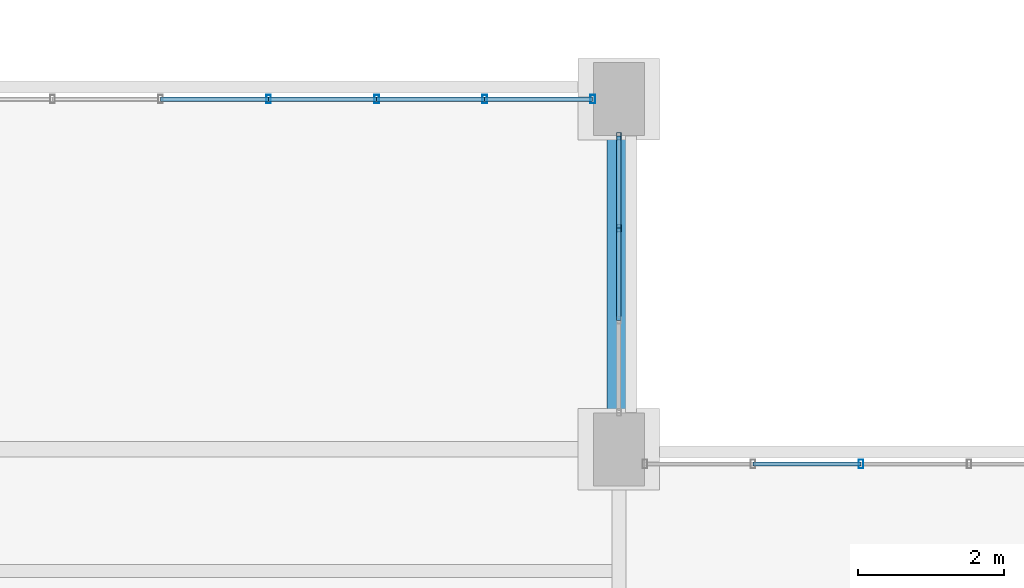
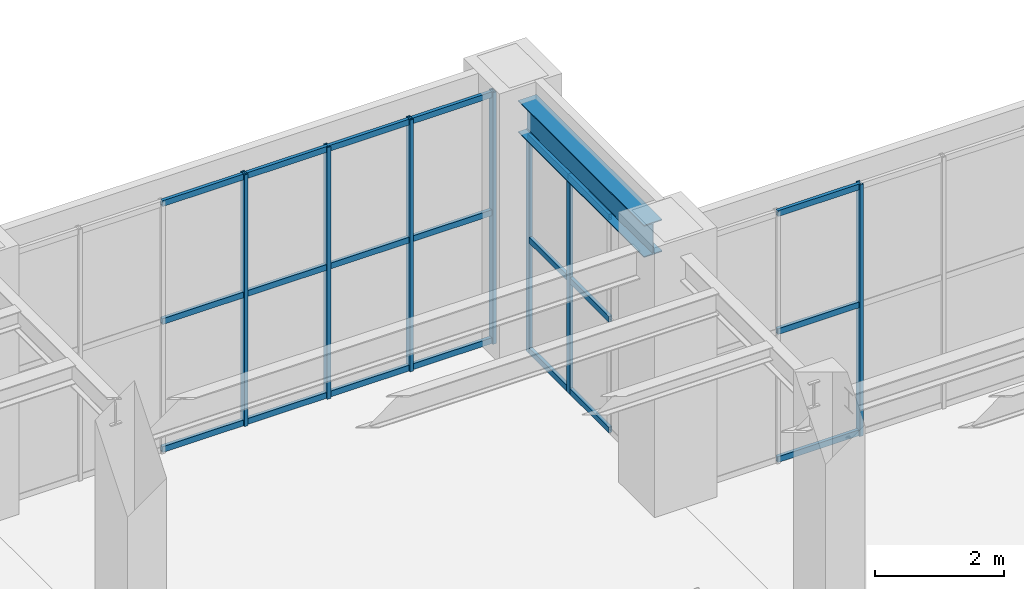
# One storey, part 120 of 174: 28 members, 1 beam, 3 elements without a shape of their own.
"""IFC4 building model written with IfcOpenShell, lengths in metres."""

from ifc_helpers import new_model, si_unit, direction, frame, origin, origin_2d, place, context, subcontext, project, spatial, hollow_rectangle, i_section, extrude, material, material_profile, profile_set, type_object, element, aggregate, save


model = new_model("IFC4")

# Units and contexts
model_context = context("Model", 3, precision=1e-05, world=origin(), true_north=direction((0.0, 1.0)))
body_context = subcontext(model_context, "Body", "Model", "MODEL_VIEW")
ifc_project = project(units=[si_unit("LENGTHUNIT", "METRE"), si_unit("AREAUNIT", "SQUARE_METRE"), si_unit("VOLUMEUNIT", "CUBIC_METRE"), si_unit("PLANEANGLEUNIT", "RADIAN"), si_unit("MASSUNIT", "GRAM", prefix="KILO")], contexts=[model_context])

# Site, building, storey
site_placement = place(None, origin())
site = spatial("IfcSite", under=ifc_project, at=site_placement, CompositionType="ELEMENT")
building_placement = place(site_placement, origin())
building = spatial("IfcBuilding", under=site, at=building_placement, Name="Mavantir Sound Aquarium", CompositionType="ELEMENT")
storey_placement = place(building_placement, frame((0.0, 0.0, 5.39990234375)))
storey = spatial("IfcBuildingStorey", under=building, at=storey_placement, Name="L01", CompositionType="ELEMENT", Elevation=5.39990234375)

# Beam
ifc_material_1 = material(Name="Structural Steel ASTM A992 Gr50", Category="steel")
ifc_material_profile_1 = material_profile(ifc_material_1, i_section(OverallWidth=0.323974609375, OverallDepth=0.611083984375, WebThickness=0.0126953125, FlangeThickness=0.01904296875, FilletRadius=0.01904296875, at=origin_2d()), Name="W610X155")
ifc_profile_set_1 = profile_set([ifc_material_profile_1], Name="Structural Steel ASTM A992 Gr50")
beam_type = type_object("IfcBeamType", Name="BM-W610X155-I", PredefinedType="BEAM", material=ifc_profile_set_1)
beam_placement = place(storey_placement, frame((165.60009765625, 66.25, 4.470703125), z_axis=(0.0, 1.0, 0.0), x_axis=(-1.0, 0.0, 0.0)))
element("IfcBeam", 1, at=beam_placement, inside=storey, type_object=beam_type, Name="L01 primary girder SB-61A 1351", PredefinedType="BEAM", context=body_context, shape_type="SweptSolid", body=[
    extrude(i_section(OverallWidth=0.323974609375, OverallDepth=0.611083984375, WebThickness=0.0126953125, FlangeThickness=0.01904296875, FilletRadius=0.01904296875, at=origin_2d()), origin(), (0.0, 0.0, 1.0), 3.89990234375),
])

# Curtain wall, members
ifc_material_2 = material(Name="Anodised Marine Aluminium and Low-E Glass", Category="aluminium")
curtain_wall_type_1 = type_object("IfcCurtainWallType", Name="CW-T13", PredefinedType="USERDEFINED", material=ifc_material_2)
curtain_wall_1_placement = place(storey_placement, origin())
curtain_wall_1 = element("IfcCurtainWall", 2, at=curtain_wall_1_placement, inside=storey, type_object=curtain_wall_type_1, Name="L01 unitised curtain wall CW-13 109", ObjectType="UNITISED GLAZING", PredefinedType="USERDEFINED")
ifc_material_3 = material(Name="Anodised Marine Aluminium 6063-T6", Category="aluminium")
ifc_material_profile_2 = material_profile(ifc_material_3, hollow_rectangle(XDim=0.06005859375, YDim=0.10009765625, WallThickness=0.00390625, at=origin_2d()), Name="ALU-MULLION-100X60")
ifc_profile_set_2 = profile_set([ifc_material_profile_2], Name="Anodised Marine Aluminium 6063-T6")
member_type_1 = type_object("IfcMemberType", Name="CW-MUL-100", PredefinedType="MULLION", material=ifc_profile_set_2)
member_1_placement = place(storey_placement, frame((165.60009765625, 68.830810546875, 0.0), z_axis=(0.0, 0.0, 1.0), x_axis=(1.0, 0.0, 0.0)))
member_1 = element("IfcMember", 3, at=member_1_placement, type_object=member_type_1, Name="CW-L01-109 vertical mullion 3", PredefinedType="MULLION", context=body_context, shape_type="SweptSolid", body=[
    extrude(hollow_rectangle(XDim=0.06005859375, YDim=0.10009765625, WallThickness=0.00390625, at=origin_2d()), origin(), (0.0, 0.0, 1.0), 4.135009765625),
])
member_2_placement = place(storey_placement, frame((165.60009765625, 70.092041015625, 0.0), z_axis=(0.0, 0.0, 1.0), x_axis=(1.0, 0.0, 0.0)))
member_2 = element("IfcMember", 4, at=member_2_placement, type_object=member_type_1, Name="CW-L01-109 vertical mullion 4", PredefinedType="MULLION", context=body_context, shape_type="SweptSolid", body=[
    extrude(hollow_rectangle(XDim=0.06005859375, YDim=0.10009765625, WallThickness=0.00390625, at=origin_2d()), origin(), (0.0, 0.0, 1.0), 4.135009765625),
])

# Curtain wall, member
curtain_wall_type_2 = type_object("IfcCurtainWallType", Name="CW-T12", PredefinedType="USERDEFINED", material=ifc_material_2)
curtain_wall_2_placement = place(storey_placement, origin())
curtain_wall_2 = element("IfcCurtainWall", 5, at=curtain_wall_2_placement, inside=storey, type_object=curtain_wall_type_2, Name="L01 unitised curtain wall CW-12 108", ObjectType="UNITISED GLAZING", PredefinedType="USERDEFINED")
ifc_material_profile_3 = material_profile(ifc_material_3, hollow_rectangle(XDim=0.06494140625, YDim=0.1201171875, WallThickness=0.00390625, at=origin_2d()), Name="ALU-MULLION-120X65")
ifc_profile_set_3 = profile_set([ifc_material_profile_3], Name="Anodised Marine Aluminium 6063-T6")
member_type_2 = type_object("IfcMemberType", Name="CW-MUL-120", PredefinedType="MULLION", material=ifc_profile_set_3)
member_3_placement = place(storey_placement, frame((168.919189453125, 65.60009765625, 0.0), z_axis=(0.0, 0.0, 1.0), x_axis=(1.0, 0.0, 0.0)))
member_3 = element("IfcMember", 6, at=member_3_placement, type_object=member_type_2, Name="CW-L01-108 vertical mullion 5", PredefinedType="MULLION", context=body_context, shape_type="SweptSolid", body=[
    extrude(hollow_rectangle(XDim=0.06494140625, YDim=0.1201171875, WallThickness=0.00390625, at=origin_2d()), origin(), (0.0, 0.0, 1.0), 4.760009765625),
])

# Curtain wall, members
curtain_wall_type_3 = type_object("IfcCurtainWallType", Name="CW-T14", PredefinedType="USERDEFINED", material=ifc_material_2)
curtain_wall_3_placement = place(storey_placement, origin())
curtain_wall_3 = element("IfcCurtainWall", 7, at=curtain_wall_3_placement, inside=storey, type_object=curtain_wall_type_3, Name="L01 unitised curtain wall CW-14 110", ObjectType="UNITISED GLAZING", PredefinedType="USERDEFINED")
member_4_placement = place(storey_placement, frame((165.241943359375, 70.60009765625, 0.0), z_axis=(0.0, 0.0, 1.0), x_axis=(1.0, 0.0, 0.0)))
member_4 = element("IfcMember", 8, at=member_4_placement, type_object=member_type_2, Name="CW-L01-110 vertical mullion 1", PredefinedType="MULLION", context=body_context, shape_type="SweptSolid", body=[
    extrude(hollow_rectangle(XDim=0.06494140625, YDim=0.1201171875, WallThickness=0.00390625, at=origin_2d()), origin(), (0.0, 0.0, 1.0), 4.760009765625),
])
member_5_placement = place(storey_placement, frame((163.76123046875, 70.60009765625, 0.0), z_axis=(0.0, 0.0, 1.0), x_axis=(1.0, 0.0, 0.0)))
member_5 = element("IfcMember", 9, at=member_5_placement, type_object=member_type_2, Name="CW-L01-110 vertical mullion 2", PredefinedType="MULLION", context=body_context, shape_type="SweptSolid", body=[
    extrude(hollow_rectangle(XDim=0.06494140625, YDim=0.1201171875, WallThickness=0.00390625, at=origin_2d()), origin(), (0.0, 0.0, 1.0), 4.760009765625),
])
member_6_placement = place(storey_placement, frame((162.28076171875, 70.60009765625, 0.0), z_axis=(0.0, 0.0, 1.0), x_axis=(1.0, 0.0, 0.0)))
member_6 = element("IfcMember", 10, at=member_6_placement, type_object=member_type_2, Name="CW-L01-110 vertical mullion 3", PredefinedType="MULLION", context=body_context, shape_type="SweptSolid", body=[
    extrude(hollow_rectangle(XDim=0.06494140625, YDim=0.1201171875, WallThickness=0.00390625, at=origin_2d()), origin(), (0.0, 0.0, 1.0), 4.760009765625),
])
member_7_placement = place(storey_placement, frame((160.800048828125, 70.60009765625, 0.0), z_axis=(0.0, 0.0, 1.0), x_axis=(1.0, 0.0, 0.0)))
member_7 = element("IfcMember", 11, at=member_7_placement, type_object=member_type_2, Name="CW-L01-110 vertical mullion 4", PredefinedType="MULLION", context=body_context, shape_type="SweptSolid", body=[
    extrude(hollow_rectangle(XDim=0.06494140625, YDim=0.1201171875, WallThickness=0.00390625, at=origin_2d()), origin(), (0.0, 0.0, 1.0), 4.760009765625),
])

# Member
ifc_material_profile_4 = material_profile(ifc_material_3, hollow_rectangle(XDim=0.06005859375, YDim=0.110107421875, WallThickness=0.00390625, at=origin_2d()), Name="ALU-TRANSOM-110X60")
ifc_profile_set_4 = profile_set([ifc_material_profile_4], Name="Anodised Marine Aluminium 6063-T6")
member_type_3 = type_object("IfcMemberType", Name="CW-TRN-110", PredefinedType="USERDEFINED", material=ifc_profile_set_4)
member_8_placement = place(storey_placement, frame((168.919189453125, 65.60009765625, 0.05517578125), z_axis=(-1.0, 0.0, 0.0), x_axis=(0.0, -1.0, 0.0)))
member_8 = element("IfcMember", 12, at=member_8_placement, type_object=member_type_3, Name="CW-L01-108 transom 5.1", ObjectType="TRANSOM", PredefinedType="USERDEFINED", context=body_context, shape_type="SweptSolid", body=[
    extrude(hollow_rectangle(XDim=0.06005859375, YDim=0.110107421875, WallThickness=0.00390625, at=origin_2d()), origin(), (0.0, 0.0, 1.0), 1.48046875),
])

member_9_placement = place(storey_placement, frame((168.919189453125, 65.60009765625, 2.475341796875), z_axis=(-1.0, 0.0, 0.0), x_axis=(0.0, -1.0, 0.0)))
member_9 = element("IfcMember", 13, at=member_9_placement, type_object=member_type_3, Name="CW-L01-108 transom 5.2", ObjectType="TRANSOM", PredefinedType="USERDEFINED", context=body_context, shape_type="SweptSolid", body=[
    extrude(hollow_rectangle(XDim=0.06005859375, YDim=0.110107421875, WallThickness=0.00390625, at=origin_2d()), origin(), (0.0, 0.0, 1.0), 1.48046875),
])

member_10_placement = place(storey_placement, frame((168.919189453125, 65.60009765625, 4.705078125), z_axis=(-1.0, 0.0, 0.0), x_axis=(0.0, -1.0, 0.0)))
member_10 = element("IfcMember", 14, at=member_10_placement, type_object=member_type_3, Name="CW-L01-108 transom 5.3", ObjectType="TRANSOM", PredefinedType="USERDEFINED", context=body_context, shape_type="SweptSolid", body=[
    extrude(hollow_rectangle(XDim=0.06005859375, YDim=0.110107421875, WallThickness=0.00390625, at=origin_2d()), origin(), (0.0, 0.0, 1.0), 1.48046875),
])

aggregate(curtain_wall_2, [member_3, member_8, member_9, member_10])

member_11_placement = place(storey_placement, frame((165.60009765625, 67.5693359375, 0.05517578125), z_axis=(0.0, 1.0, 0.0), x_axis=(-1.0, 0.0, 0.0)))
member_11 = element("IfcMember", 15, at=member_11_placement, type_object=member_type_3, Name="CW-L01-109 transom 2.1", ObjectType="TRANSOM", PredefinedType="USERDEFINED", context=body_context, shape_type="SweptSolid", body=[
    extrude(hollow_rectangle(XDim=0.06005859375, YDim=0.110107421875, WallThickness=0.00390625, at=origin_2d()), origin(), (0.0, 0.0, 1.0), 1.261474609375),
])

member_12_placement = place(storey_placement, frame((165.60009765625, 67.5693359375, 2.150390625), z_axis=(0.0, 1.0, 0.0), x_axis=(-1.0, 0.0, 0.0)))
member_12 = element("IfcMember", 16, at=member_12_placement, type_object=member_type_3, Name="CW-L01-109 transom 2.2", ObjectType="TRANSOM", PredefinedType="USERDEFINED", context=body_context, shape_type="SweptSolid", body=[
    extrude(hollow_rectangle(XDim=0.06005859375, YDim=0.110107421875, WallThickness=0.00390625, at=origin_2d()), origin(), (0.0, 0.0, 1.0), 1.261474609375),
])

member_13_placement = place(storey_placement, frame((165.60009765625, 67.5693359375, 4.080078125), z_axis=(0.0, 1.0, 0.0), x_axis=(-1.0, 0.0, 0.0)))
member_13 = element("IfcMember", 17, at=member_13_placement, type_object=member_type_3, Name="CW-L01-109 transom 2.3", ObjectType="TRANSOM", PredefinedType="USERDEFINED", context=body_context, shape_type="SweptSolid", body=[
    extrude(hollow_rectangle(XDim=0.06005859375, YDim=0.110107421875, WallThickness=0.00390625, at=origin_2d()), origin(), (0.0, 0.0, 1.0), 1.261474609375),
])

member_14_placement = place(storey_placement, frame((165.60009765625, 68.830810546875, 0.05517578125), z_axis=(0.0, 1.0, 0.0), x_axis=(-1.0, 0.0, 0.0)))
member_14 = element("IfcMember", 18, at=member_14_placement, type_object=member_type_3, Name="CW-L01-109 transom 3.1", ObjectType="TRANSOM", PredefinedType="USERDEFINED", context=body_context, shape_type="SweptSolid", body=[
    extrude(hollow_rectangle(XDim=0.06005859375, YDim=0.110107421875, WallThickness=0.00390625, at=origin_2d()), origin(), (0.0, 0.0, 1.0), 1.26123046875),
])

member_15_placement = place(storey_placement, frame((165.60009765625, 68.830810546875, 2.150390625), z_axis=(0.0, 1.0, 0.0), x_axis=(-1.0, 0.0, 0.0)))
member_15 = element("IfcMember", 19, at=member_15_placement, type_object=member_type_3, Name="CW-L01-109 transom 3.2", ObjectType="TRANSOM", PredefinedType="USERDEFINED", context=body_context, shape_type="SweptSolid", body=[
    extrude(hollow_rectangle(XDim=0.06005859375, YDim=0.110107421875, WallThickness=0.00390625, at=origin_2d()), origin(), (0.0, 0.0, 1.0), 1.26123046875),
])

member_16_placement = place(storey_placement, frame((165.60009765625, 68.830810546875, 4.080078125), z_axis=(0.0, 1.0, 0.0), x_axis=(-1.0, 0.0, 0.0)))
member_16 = element("IfcMember", 20, at=member_16_placement, type_object=member_type_3, Name="CW-L01-109 transom 3.3", ObjectType="TRANSOM", PredefinedType="USERDEFINED", context=body_context, shape_type="SweptSolid", body=[
    extrude(hollow_rectangle(XDim=0.06005859375, YDim=0.110107421875, WallThickness=0.00390625, at=origin_2d()), origin(), (0.0, 0.0, 1.0), 1.26123046875),
])

aggregate(curtain_wall_1, [member_1, member_2, member_11, member_12, member_13, member_14, member_15, member_16])

member_17_placement = place(storey_placement, frame((165.241943359375, 70.60009765625, 0.05517578125), z_axis=(-1.0, 0.0, 0.0), x_axis=(0.0, -1.0, 0.0)))
member_17 = element("IfcMember", 21, at=member_17_placement, type_object=member_type_3, Name="CW-L01-110 transom 1.1", ObjectType="TRANSOM", PredefinedType="USERDEFINED", context=body_context, shape_type="SweptSolid", body=[
    extrude(hollow_rectangle(XDim=0.06005859375, YDim=0.110107421875, WallThickness=0.00390625, at=origin_2d()), origin(), (0.0, 0.0, 1.0), 1.480712890625),
])

member_18_placement = place(storey_placement, frame((165.241943359375, 70.60009765625, 2.475341796875), z_axis=(-1.0, 0.0, 0.0), x_axis=(0.0, -1.0, 0.0)))
member_18 = element("IfcMember", 22, at=member_18_placement, type_object=member_type_3, Name="CW-L01-110 transom 1.2", ObjectType="TRANSOM", PredefinedType="USERDEFINED", context=body_context, shape_type="SweptSolid", body=[
    extrude(hollow_rectangle(XDim=0.06005859375, YDim=0.110107421875, WallThickness=0.00390625, at=origin_2d()), origin(), (0.0, 0.0, 1.0), 1.480712890625),
])

member_19_placement = place(storey_placement, frame((165.241943359375, 70.60009765625, 4.705078125), z_axis=(-1.0, 0.0, 0.0), x_axis=(0.0, -1.0, 0.0)))
member_19 = element("IfcMember", 23, at=member_19_placement, type_object=member_type_3, Name="CW-L01-110 transom 1.3", ObjectType="TRANSOM", PredefinedType="USERDEFINED", context=body_context, shape_type="SweptSolid", body=[
    extrude(hollow_rectangle(XDim=0.06005859375, YDim=0.110107421875, WallThickness=0.00390625, at=origin_2d()), origin(), (0.0, 0.0, 1.0), 1.480712890625),
])

member_20_placement = place(storey_placement, frame((163.76123046875, 70.60009765625, 0.05517578125), z_axis=(-1.0, 0.0, 0.0), x_axis=(0.0, -1.0, 0.0)))
member_20 = element("IfcMember", 24, at=member_20_placement, type_object=member_type_3, Name="CW-L01-110 transom 2.1", ObjectType="TRANSOM", PredefinedType="USERDEFINED", context=body_context, shape_type="SweptSolid", body=[
    extrude(hollow_rectangle(XDim=0.06005859375, YDim=0.110107421875, WallThickness=0.00390625, at=origin_2d()), origin(), (0.0, 0.0, 1.0), 1.48046875),
])

member_21_placement = place(storey_placement, frame((163.76123046875, 70.60009765625, 2.475341796875), z_axis=(-1.0, 0.0, 0.0), x_axis=(0.0, -1.0, 0.0)))
member_21 = element("IfcMember", 25, at=member_21_placement, type_object=member_type_3, Name="CW-L01-110 transom 2.2", ObjectType="TRANSOM", PredefinedType="USERDEFINED", context=body_context, shape_type="SweptSolid", body=[
    extrude(hollow_rectangle(XDim=0.06005859375, YDim=0.110107421875, WallThickness=0.00390625, at=origin_2d()), origin(), (0.0, 0.0, 1.0), 1.48046875),
])

member_22_placement = place(storey_placement, frame((163.76123046875, 70.60009765625, 4.705078125), z_axis=(-1.0, 0.0, 0.0), x_axis=(0.0, -1.0, 0.0)))
member_22 = element("IfcMember", 26, at=member_22_placement, type_object=member_type_3, Name="CW-L01-110 transom 2.3", ObjectType="TRANSOM", PredefinedType="USERDEFINED", context=body_context, shape_type="SweptSolid", body=[
    extrude(hollow_rectangle(XDim=0.06005859375, YDim=0.110107421875, WallThickness=0.00390625, at=origin_2d()), origin(), (0.0, 0.0, 1.0), 1.48046875),
])

member_23_placement = place(storey_placement, frame((162.28076171875, 70.60009765625, 0.05517578125), z_axis=(-1.0, 0.0, 0.0), x_axis=(0.0, -1.0, 0.0)))
member_23 = element("IfcMember", 27, at=member_23_placement, type_object=member_type_3, Name="CW-L01-110 transom 3.1", ObjectType="TRANSOM", PredefinedType="USERDEFINED", context=body_context, shape_type="SweptSolid", body=[
    extrude(hollow_rectangle(XDim=0.06005859375, YDim=0.110107421875, WallThickness=0.00390625, at=origin_2d()), origin(), (0.0, 0.0, 1.0), 1.480712890625),
])

member_24_placement = place(storey_placement, frame((162.28076171875, 70.60009765625, 2.475341796875), z_axis=(-1.0, 0.0, 0.0), x_axis=(0.0, -1.0, 0.0)))
member_24 = element("IfcMember", 28, at=member_24_placement, type_object=member_type_3, Name="CW-L01-110 transom 3.2", ObjectType="TRANSOM", PredefinedType="USERDEFINED", context=body_context, shape_type="SweptSolid", body=[
    extrude(hollow_rectangle(XDim=0.06005859375, YDim=0.110107421875, WallThickness=0.00390625, at=origin_2d()), origin(), (0.0, 0.0, 1.0), 1.480712890625),
])

member_25_placement = place(storey_placement, frame((162.28076171875, 70.60009765625, 4.705078125), z_axis=(-1.0, 0.0, 0.0), x_axis=(0.0, -1.0, 0.0)))
member_25 = element("IfcMember", 29, at=member_25_placement, type_object=member_type_3, Name="CW-L01-110 transom 3.3", ObjectType="TRANSOM", PredefinedType="USERDEFINED", context=body_context, shape_type="SweptSolid", body=[
    extrude(hollow_rectangle(XDim=0.06005859375, YDim=0.110107421875, WallThickness=0.00390625, at=origin_2d()), origin(), (0.0, 0.0, 1.0), 1.480712890625),
])

member_26_placement = place(storey_placement, frame((160.800048828125, 70.60009765625, 0.05517578125), z_axis=(-1.0, 0.0, 0.0), x_axis=(0.0, -1.0, 0.0)))
member_26 = element("IfcMember", 30, at=member_26_placement, type_object=member_type_3, Name="CW-L01-110 transom 4.1", ObjectType="TRANSOM", PredefinedType="USERDEFINED", context=body_context, shape_type="SweptSolid", body=[
    extrude(hollow_rectangle(XDim=0.06005859375, YDim=0.110107421875, WallThickness=0.00390625, at=origin_2d()), origin(), (0.0, 0.0, 1.0), 1.480712890625),
])

member_27_placement = place(storey_placement, frame((160.800048828125, 70.60009765625, 2.475341796875), z_axis=(-1.0, 0.0, 0.0), x_axis=(0.0, -1.0, 0.0)))
member_27 = element("IfcMember", 31, at=member_27_placement, type_object=member_type_3, Name="CW-L01-110 transom 4.2", ObjectType="TRANSOM", PredefinedType="USERDEFINED", context=body_context, shape_type="SweptSolid", body=[
    extrude(hollow_rectangle(XDim=0.06005859375, YDim=0.110107421875, WallThickness=0.00390625, at=origin_2d()), origin(), (0.0, 0.0, 1.0), 1.480712890625),
])

member_28_placement = place(storey_placement, frame((160.800048828125, 70.60009765625, 4.705078125), z_axis=(-1.0, 0.0, 0.0), x_axis=(0.0, -1.0, 0.0)))
member_28 = element("IfcMember", 32, at=member_28_placement, type_object=member_type_3, Name="CW-L01-110 transom 4.3", ObjectType="TRANSOM", PredefinedType="USERDEFINED", context=body_context, shape_type="SweptSolid", body=[
    extrude(hollow_rectangle(XDim=0.06005859375, YDim=0.110107421875, WallThickness=0.00390625, at=origin_2d()), origin(), (0.0, 0.0, 1.0), 1.480712890625),
])

aggregate(curtain_wall_3, [member_4, member_5, member_6, member_7, member_17, member_18, member_19, member_20, member_21, member_22, member_23, member_24, member_25, member_26, member_27, member_28])

save(model, "model.ifc")
